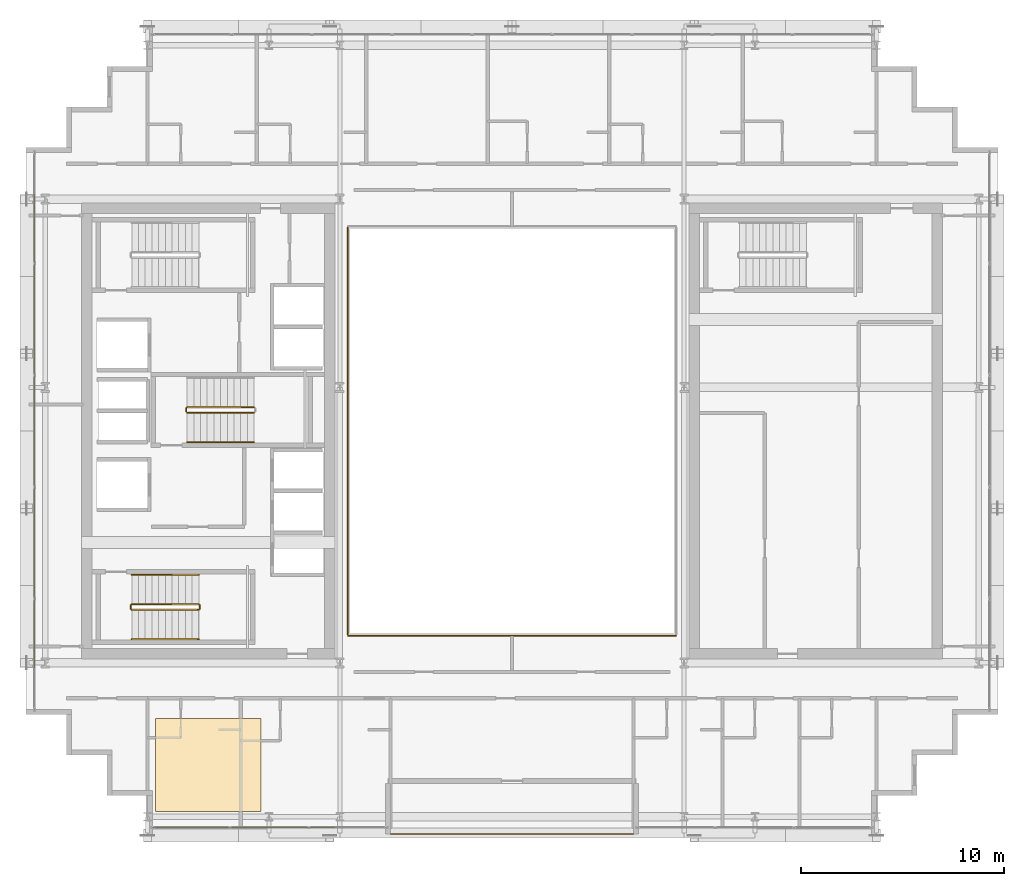
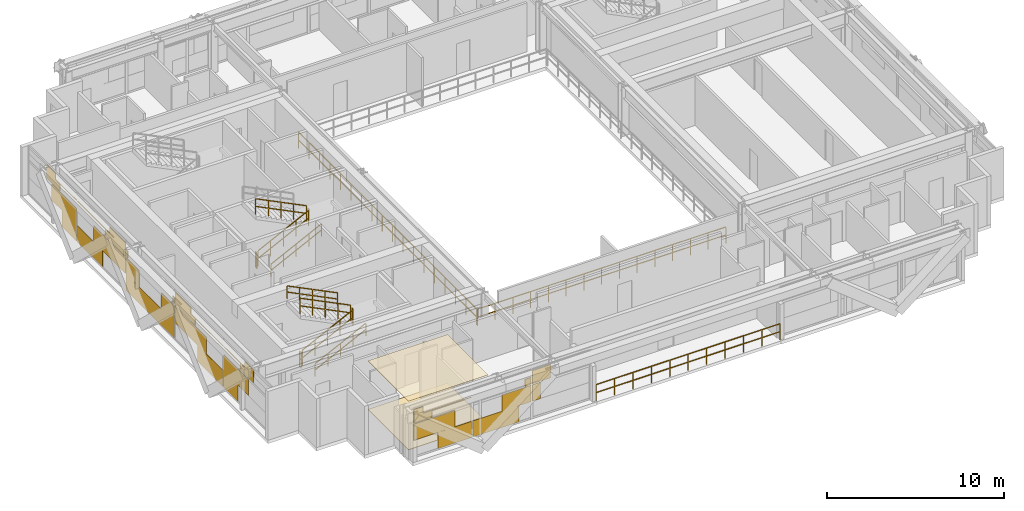
# One storey, part 29 of 32: 13 railings, 4 coverings.
"""IFC4 building model written with IfcOpenShell, lengths in metres."""

from ifc_helpers import new_model, si_unit, direction, frame, origin, origin_2d, place, context, subcontext, project, spatial, polyline, rectangle, outline, extrude, material, layer, layer_set, type_object, element, save


model = new_model("IFC4")

# Units and contexts
model_context = context("Model", 3, precision=1e-05, world=origin(), true_north=direction((0.0, 1.0)))
body_context = subcontext(model_context, "Body", "Model", "MODEL_VIEW")
ifc_project = project(units=[si_unit("LENGTHUNIT", "METRE"), si_unit("AREAUNIT", "SQUARE_METRE"), si_unit("VOLUMEUNIT", "CUBIC_METRE"), si_unit("PLANEANGLEUNIT", "RADIAN"), si_unit("MASSUNIT", "GRAM", prefix="KILO")], contexts=[model_context])

# Site, building, storey
site_placement = place(None, origin())
site = spatial("IfcSite", under=ifc_project, at=site_placement, CompositionType="ELEMENT")
building_placement = place(site_placement, origin())
building = spatial("IfcBuilding", under=site, at=building_placement, Name="Ocotamira Hotel", CompositionType="ELEMENT")
storey_placement = place(building_placement, frame((0.0, 0.0, 206.39990234375)))
storey = spatial("IfcBuildingStorey", under=building, at=storey_placement, Name="L52", CompositionType="ELEMENT", Elevation=206.39990234375)

# Coverings
ifc_material_1 = material(Name="Perforated acoustic gypsum ceiling board", Category="gypsum")
ifc_layer_1 = layer(ifc_material_1, 0.02490234375)
ifc_layer_set_1 = layer_set([ifc_layer_1], Name="Perforated acoustic gypsum ceiling board")
covering_type_1 = type_object("IfcCoveringType", Name="COV-CEIL-25", PredefinedType="CEILING", material=ifc_layer_set_1)
covering_1_placement = place(storey_placement, frame((0.0, 0.0, 3.34521484375)))
element("IfcCovering", 1, at=covering_1_placement, inside=storey, type_object=covering_type_1, Name="L52 Acoustic Ceiling", PredefinedType="CEILING", context=body_context, shape_type="SweptSolid", body=[
    extrude(outline(polyline([(14.39990234375, 7.199951171875), (19.60009765625, 7.199951171875), (19.60009765625, 11.800048828125), (14.39990234375, 11.800048828125), (14.39990234375, 7.199951171875)])), origin(), (0.0, 0.0, 1.0), 0.02490234375),
])
ifc_material_2 = material(Name="Honed desert travertine stone flooring", Category="masonry")
ifc_layer_2 = layer(ifc_material_2, 0.030029296875)
ifc_layer_set_2 = layer_set([ifc_layer_2], Name="Honed desert travertine stone flooring")
covering_type_2 = type_object("IfcCoveringType", Name="COV-FLOR-30", PredefinedType="FLOORING", material=ifc_layer_set_2)
covering_2_placement = place(storey_placement, origin())
element("IfcCovering", 2, at=covering_2_placement, inside=storey, type_object=covering_type_2, Name="L52 Honed Stone Floor Finish", PredefinedType="FLOORING", context=body_context, shape_type="SweptSolid", body=[
    extrude(outline(polyline([(14.39990234375, 7.199951171875), (19.60009765625, 7.199951171875), (19.60009765625, 11.800048828125), (14.39990234375, 11.800048828125), (14.39990234375, 7.199951171875)])), origin(), (0.0, 0.0, 1.0), 0.030029296875),
])
ifc_material_3 = material(Name="Insulated pale-metal aluminium spandrel panel", Category="aluminium")
ifc_layer_3 = layer(ifc_material_3, 0.044921875)
ifc_layer_set_3 = layer_set([ifc_layer_3], Name="Insulated pale-metal aluminium spandrel panel")
covering_type_3 = type_object("IfcCoveringType", Name="COV-INFILL-45", PredefinedType="CLADDING", material=ifc_layer_set_3)
covering_3_placement = place(storey_placement, origin())
element("IfcCovering", 3, at=covering_3_placement, inside=storey, type_object=covering_type_3, Name="L52 Curtain Wall Infill CW-4 CW-L52-S1", PredefinedType="CLADDING", context=body_context, shape_type="SweptSolid", body=[
    extrude(rectangle(XDim=2.68701171875, YDim=0.044921875, at=origin_2d()), frame((15.6240234375, 6.419921875, 1.1943359375), z_axis=(0.0, 0.0, 1.0), x_axis=(1.0, 0.0, 0.0)), (0.0, 0.0, 1.0), 1.117919921875),
    extrude(rectangle(XDim=2.19482421875, YDim=0.044921875, at=origin_2d()), frame((16.9453125, 6.419921875, 0.07568359375), z_axis=(0.0, 0.0, 1.0), x_axis=(1.0, 0.0, 0.0)), (0.0, 0.0, 1.0), 1.117919921875),
    extrude(rectangle(XDim=1.19482421875, YDim=0.044921875, at=origin_2d()), frame((14.8779296875, 6.419921875, 2.38818359375), z_axis=(0.0, 0.0, 1.0), x_axis=(1.0, 0.0, 0.0)), (0.0, 0.0, 1.0), 0.442626953125),
    extrude(rectangle(XDim=3.76220703125, YDim=0.044921875, at=origin_2d()), frame((16.16162109375, 6.419921875, 2.83154296875), z_axis=(0.0, 0.0, 1.0), x_axis=(1.0, 0.0, 0.0)), (0.0, 0.0, 1.0), 0.0302734375),
    extrude(rectangle(XDim=0.601318359375, YDim=0.044921875, at=origin_2d()), frame((14.581298828125, 6.419921875, 2.863037109375), z_axis=(0.0, 0.0, 1.0), x_axis=(1.0, 0.0, 0.0)), (0.0, 0.0, 1.0), 0.431640625),
    extrude(rectangle(XDim=3.028076171875, YDim=0.044921875, at=origin_2d()), frame((19.637939453125, 6.419921875, 0.07568359375), z_axis=(0.0, 0.0, 1.0), x_axis=(1.0, 0.0, 0.0)), (0.0, 0.0, 1.0), 1.117919921875),
    extrude(rectangle(XDim=1.893798828125, YDim=0.044921875, at=origin_2d()), frame((20.979248046875, 6.419921875, 1.1943359375), z_axis=(0.0, 0.0, 1.0), x_axis=(1.0, 0.0, 0.0)), (0.0, 0.0, 1.0), 1.117919921875),
    extrude(rectangle(XDim=0.401611328125, YDim=0.044921875, at=origin_2d()), frame((21.725341796875, 6.419921875, 2.38818359375), z_axis=(0.0, 0.0, 1.0), x_axis=(1.0, 0.0, 0.0)), (0.0, 0.0, 1.0), 0.473876953125),
    extrude(rectangle(XDim=0.543212890625, YDim=0.044921875, at=origin_2d()), frame((22.27880859375, 6.419921875, 1.1943359375), z_axis=(0.0, 0.0, 1.0), x_axis=(1.0, 0.0, 0.0)), (0.0, 0.0, 1.0), 1.117919921875),
    extrude(rectangle(XDim=1.19140625, YDim=0.044921875, at=origin_2d()), frame((22.602783203125, 6.419921875, 2.38818359375), z_axis=(0.0, 0.0, 1.0), x_axis=(1.0, 0.0, 0.0)), (0.0, 0.0, 1.0), 0.442626953125),
    extrude(rectangle(XDim=1.23046875, YDim=0.044921875, at=origin_2d()), frame((22.622314453125, 6.419921875, 2.83154296875), z_axis=(0.0, 0.0, 1.0), x_axis=(1.0, 0.0, 0.0)), (0.0, 0.0, 1.0), 0.462890625),
])
covering_4_placement = place(storey_placement, origin())
element("IfcCovering", 4, at=covering_4_placement, inside=storey, type_object=covering_type_3, Name="L52 Curtain Wall Infill CW-4 CW-L52-W", PredefinedType="CLADDING", context=body_context, shape_type="SweptSolid", body=[
    extrude(rectangle(XDim=2.782958984375, YDim=0.044921875, at=origin_2d()), frame((8.419921875, 16.2880859375, 1.1943359375), z_axis=(0.0, 0.0, 1.0), x_axis=(0.0, 1.0, 0.0)), (0.0, 0.0, 1.0), 1.117919921875),
    extrude(rectangle(XDim=1.596923828125, YDim=0.044921875, at=origin_2d()), frame((8.419921875, 16.881103515625, 0.07568359375), z_axis=(0.0, 0.0, 1.0), x_axis=(0.0, 1.0, 0.0)), (0.0, 0.0, 1.0), 1.117919921875),
    extrude(rectangle(XDim=3.38720703125, YDim=0.044921875, at=origin_2d()), frame((8.419921875, 15.98583984375, 2.848876953125), z_axis=(0.0, 0.0, 1.0), x_axis=(0.0, 1.0, 0.0)), (0.0, 0.0, 1.0), 0.033203125),
    extrude(rectangle(XDim=1.019287109375, YDim=0.044921875, at=origin_2d()), frame((8.419921875, 14.8017578125, 2.883056640625), z_axis=(0.0, 0.0, 1.0), x_axis=(0.0, 1.0, 0.0)), (0.0, 0.0, 1.0), 0.41162109375),
    extrude(rectangle(XDim=1.507568359375, YDim=0.044921875, at=origin_2d()), frame((8.419921875, 15.082275390625, 2.38818359375), z_axis=(0.0, 0.0, 1.0), x_axis=(0.0, 1.0, 0.0)), (0.0, 0.0, 1.0), 0.459716796875),
    extrude(rectangle(XDim=2.89013671875, YDim=0.044921875, at=origin_2d()), frame((8.419921875, 19.20556640625, 0.07568359375), z_axis=(0.0, 0.0, 1.0), x_axis=(0.0, 1.0, 0.0)), (0.0, 0.0, 1.0), 1.117919921875),
    extrude(rectangle(XDim=3.568115234375, YDim=0.044921875, at=origin_2d()), frame((8.419921875, 21.41552734375, 1.1943359375), z_axis=(0.0, 0.0, 1.0), x_axis=(0.0, 1.0, 0.0)), (0.0, 0.0, 1.0), 1.117919921875),
    extrude(rectangle(XDim=5.43896484375, YDim=0.044921875, at=origin_2d()), frame((8.419921875, 20.47998046875, 2.848876953125), z_axis=(0.0, 0.0, 1.0), x_axis=(0.0, 1.0, 0.0)), (0.0, 0.0, 1.0), 0.033203125),
    extrude(rectangle(XDim=2.302490234375, YDim=0.044921875, at=origin_2d()), frame((8.419921875, 22.04833984375, 2.38818359375), z_axis=(0.0, 0.0, 1.0), x_axis=(0.0, 1.0, 0.0)), (0.0, 0.0, 1.0), 0.459716796875),
    extrude(rectangle(XDim=1.777587890625, YDim=0.044921875, at=origin_2d()), frame((8.419921875, 22.310791015625, 2.883056640625), z_axis=(0.0, 0.0, 1.0), x_axis=(0.0, 1.0, 0.0)), (0.0, 0.0, 1.0), 0.41162109375),
    extrude(rectangle(XDim=5.43896484375, YDim=0.044921875, at=origin_2d()), frame((8.419921875, 26.0, 0.07568359375), z_axis=(0.0, 0.0, 1.0), x_axis=(0.0, 1.0, 0.0)), (0.0, 0.0, 1.0), 1.117919921875),
    extrude(rectangle(XDim=1.45458984375, YDim=0.044921875, at=origin_2d()), frame((8.419921875, 24.0078125, 1.1943359375), z_axis=(0.0, 0.0, 1.0), x_axis=(0.0, 1.0, 0.0)), (0.0, 0.0, 1.0), 1.117919921875),
    extrude(rectangle(XDim=1.45458984375, YDim=0.044921875, at=origin_2d()), frame((8.419921875, 27.9921875, 1.1943359375), z_axis=(0.0, 0.0, 1.0), x_axis=(0.0, 1.0, 0.0)), (0.0, 0.0, 1.0), 1.117919921875),
    extrude(rectangle(XDim=0.18896484375, YDim=0.044921875, at=origin_2d()), frame((8.419921875, 23.375, 2.38818359375), z_axis=(0.0, 0.0, 1.0), x_axis=(0.0, 1.0, 0.0)), (0.0, 0.0, 1.0), 0.493896484375),
    extrude(rectangle(XDim=0.18896484375, YDim=0.044921875, at=origin_2d()), frame((8.419921875, 28.625, 2.38818359375), z_axis=(0.0, 0.0, 1.0), x_axis=(0.0, 1.0, 0.0)), (0.0, 0.0, 1.0), 0.493896484375),
    extrude(rectangle(XDim=3.568115234375, YDim=0.044921875, at=origin_2d()), frame((8.419921875, 30.58447265625, 1.1943359375), z_axis=(0.0, 0.0, 1.0), x_axis=(0.0, 1.0, 0.0)), (0.0, 0.0, 1.0), 1.117919921875),
    extrude(rectangle(XDim=2.89013671875, YDim=0.044921875, at=origin_2d()), frame((8.419921875, 32.79443359375, 0.07568359375), z_axis=(0.0, 0.0, 1.0), x_axis=(0.0, 1.0, 0.0)), (0.0, 0.0, 1.0), 1.117919921875),
    extrude(rectangle(XDim=2.302490234375, YDim=0.044921875, at=origin_2d()), frame((8.419921875, 29.95166015625, 2.38818359375), z_axis=(0.0, 0.0, 1.0), x_axis=(0.0, 1.0, 0.0)), (0.0, 0.0, 1.0), 0.459716796875),
    extrude(rectangle(XDim=5.43896484375, YDim=0.044921875, at=origin_2d()), frame((8.419921875, 31.52001953125, 2.848876953125), z_axis=(0.0, 0.0, 1.0), x_axis=(0.0, 1.0, 0.0)), (0.0, 0.0, 1.0), 0.033203125),
    extrude(rectangle(XDim=1.777587890625, YDim=0.044921875, at=origin_2d()), frame((8.419921875, 29.689208984375, 2.883056640625), z_axis=(0.0, 0.0, 1.0), x_axis=(0.0, 1.0, 0.0)), (0.0, 0.0, 1.0), 0.41162109375),
    extrude(rectangle(XDim=1.596923828125, YDim=0.044921875, at=origin_2d()), frame((8.419921875, 35.118896484375, 0.07568359375), z_axis=(0.0, 0.0, 1.0), x_axis=(0.0, 1.0, 0.0)), (0.0, 0.0, 1.0), 1.117919921875),
    extrude(rectangle(XDim=2.782958984375, YDim=0.044921875, at=origin_2d()), frame((8.419921875, 35.7119140625, 1.1943359375), z_axis=(0.0, 0.0, 1.0), x_axis=(0.0, 1.0, 0.0)), (0.0, 0.0, 1.0), 1.117919921875),
    extrude(rectangle(XDim=3.38720703125, YDim=0.044921875, at=origin_2d()), frame((8.419921875, 36.01416015625, 2.848876953125), z_axis=(0.0, 0.0, 1.0), x_axis=(0.0, 1.0, 0.0)), (0.0, 0.0, 1.0), 0.033203125),
    extrude(rectangle(XDim=1.507568359375, YDim=0.044921875, at=origin_2d()), frame((8.419921875, 36.917724609375, 2.38818359375), z_axis=(0.0, 0.0, 1.0), x_axis=(0.0, 1.0, 0.0)), (0.0, 0.0, 1.0), 0.459716796875),
    extrude(rectangle(XDim=1.019287109375, YDim=0.044921875, at=origin_2d()), frame((8.419921875, 37.1982421875, 2.883056640625), z_axis=(0.0, 0.0, 1.0), x_axis=(0.0, 1.0, 0.0)), (0.0, 0.0, 1.0), 0.41162109375),
])

# Railings
ifc_material_4 = material(Name="Laminated glass and pale-metal balustrade", Category="glass")
railing_type_1 = type_object("IfcRailingType", Name="RL-BAL-1150", PredefinedType="BALUSTRADE", material=ifc_material_4)
railing_1_placement = place(storey_placement, frame((26.0, 6.10009765625, 0.0)))
element("IfcRailing", 5, at=railing_1_placement, inside=storey, type_object=railing_type_1, Name="L52 Sky Terrace Balustrade 1", PredefinedType="BALUSTRADE", context=body_context, shape_type="SweptSolid", body=[
    extrude(rectangle(XDim=0.048095703125, YDim=0.048095703125, at=origin_2d()), frame((0.0, 0.0, 1.1259765625), z_axis=(1.0, 0.0, 0.0), x_axis=(0.0, 1.0, 0.0)), (0.0, 0.0, 1.0), 12.0),
    extrude(rectangle(XDim=0.048095703125, YDim=0.048095703125, at=origin_2d()), frame((0.0, 0.0, 0.574951171875), z_axis=(1.0, 0.0, 0.0), x_axis=(0.0, 1.0, 0.0)), (0.0, 0.0, 1.0), 12.0),
    extrude(rectangle(XDim=0.0419921875, YDim=0.0419921875, at=origin_2d()), origin(), (0.0, 0.0, 1.0), 1.101806640625),
    extrude(rectangle(XDim=0.0419921875, YDim=0.0419921875, at=origin_2d()), frame((1.199951171875, 0.0, 0.0)), (0.0, 0.0, 1.0), 1.101806640625),
    extrude(rectangle(XDim=0.0419921875, YDim=0.0419921875, at=origin_2d()), frame((2.39990234375, 0.0, 0.0)), (0.0, 0.0, 1.0), 1.101806640625),
    extrude(rectangle(XDim=0.0419921875, YDim=0.0419921875, at=origin_2d()), frame((3.60009765625, 0.0, 0.0)), (0.0, 0.0, 1.0), 1.101806640625),
    extrude(rectangle(XDim=0.0419921875, YDim=0.0419921875, at=origin_2d()), frame((4.800048828125, 0.0, 0.0)), (0.0, 0.0, 1.0), 1.101806640625),
    extrude(rectangle(XDim=0.0419921875, YDim=0.0419921875, at=origin_2d()), frame((6.0, 0.0, 0.0)), (0.0, 0.0, 1.0), 1.101806640625),
    extrude(rectangle(XDim=0.0419921875, YDim=0.0419921875, at=origin_2d()), frame((7.199951171875, 0.0, 0.0)), (0.0, 0.0, 1.0), 1.101806640625),
    extrude(rectangle(XDim=0.0419921875, YDim=0.0419921875, at=origin_2d()), frame((8.39990234375, 0.0, 0.0)), (0.0, 0.0, 1.0), 1.101806640625),
    extrude(rectangle(XDim=0.0419921875, YDim=0.0419921875, at=origin_2d()), frame((9.60009765625, 0.0, 0.0)), (0.0, 0.0, 1.0), 1.101806640625),
    extrude(rectangle(XDim=0.0419921875, YDim=0.0419921875, at=origin_2d()), frame((10.800048828125, 0.0, 0.0)), (0.0, 0.0, 1.0), 1.101806640625),
    extrude(rectangle(XDim=0.0419921875, YDim=0.0419921875, at=origin_2d()), frame((12.0, 0.0, 0.0)), (0.0, 0.0, 1.0), 1.101806640625),
])
ifc_material_5 = material(Name="Painted steel stair guardrail", Category="steel")
railing_type_2 = type_object("IfcRailingType", Name="RL-EDGE-1150", PredefinedType="GUARDRAIL", material=ifc_material_5)
railing_2_placement = place(storey_placement, frame((23.89990234375, 15.8798828125, 0.0)))
element("IfcRailing", 6, at=railing_2_placement, inside=storey, type_object=railing_type_2, Name="L52 Central Atrium Edge Guardrail S", PredefinedType="GUARDRAIL", context=body_context, shape_type="SweptSolid", body=[
    extrude(rectangle(XDim=0.048095703125, YDim=0.048095703125, at=origin_2d()), frame((0.0, 0.0, 1.1259765625), z_axis=(1.0, 0.0, 0.0), x_axis=(0.0, 1.0, 0.0)), (0.0, 0.0, 1.0), 16.2001953125),
    extrude(rectangle(XDim=0.048095703125, YDim=0.048095703125, at=origin_2d()), frame((0.0, 0.0, 0.574951171875), z_axis=(1.0, 0.0, 0.0), x_axis=(0.0, 1.0, 0.0)), (0.0, 0.0, 1.0), 16.2001953125),
    extrude(rectangle(XDim=0.0419921875, YDim=0.0419921875, at=origin_2d()), origin(), (0.0, 0.0, 1.0), 1.101806640625),
    extrude(rectangle(XDim=0.0419921875, YDim=0.0419921875, at=origin_2d()), frame((1.1572265625, 0.0, 0.0)), (0.0, 0.0, 1.0), 1.101806640625),
    extrude(rectangle(XDim=0.0419921875, YDim=0.0419921875, at=origin_2d()), frame((2.314208984375, 0.0, 0.0)), (0.0, 0.0, 1.0), 1.101806640625),
    extrude(rectangle(XDim=0.0419921875, YDim=0.0419921875, at=origin_2d()), frame((3.471435546875, 0.0, 0.0)), (0.0, 0.0, 1.0), 1.101806640625),
    extrude(rectangle(XDim=0.0419921875, YDim=0.0419921875, at=origin_2d()), frame((4.628662109375, 0.0, 0.0)), (0.0, 0.0, 1.0), 1.101806640625),
    extrude(rectangle(XDim=0.0419921875, YDim=0.0419921875, at=origin_2d()), frame((5.785888671875, 0.0, 0.0)), (0.0, 0.0, 1.0), 1.101806640625),
    extrude(rectangle(XDim=0.0419921875, YDim=0.0419921875, at=origin_2d()), frame((6.94287109375, 0.0, 0.0)), (0.0, 0.0, 1.0), 1.101806640625),
    extrude(rectangle(XDim=0.0419921875, YDim=0.0419921875, at=origin_2d()), frame((8.10009765625, 0.0, 0.0)), (0.0, 0.0, 1.0), 1.101806640625),
    extrude(rectangle(XDim=0.0419921875, YDim=0.0419921875, at=origin_2d()), frame((9.25732421875, 0.0, 0.0)), (0.0, 0.0, 1.0), 1.101806640625),
    extrude(rectangle(XDim=0.0419921875, YDim=0.0419921875, at=origin_2d()), frame((10.414306640625, 0.0, 0.0)), (0.0, 0.0, 1.0), 1.101806640625),
    extrude(rectangle(XDim=0.0419921875, YDim=0.0419921875, at=origin_2d()), frame((11.571533203125, 0.0, 0.0)), (0.0, 0.0, 1.0), 1.101806640625),
    extrude(rectangle(XDim=0.0419921875, YDim=0.0419921875, at=origin_2d()), frame((12.728759765625, 0.0, 0.0)), (0.0, 0.0, 1.0), 1.101806640625),
    extrude(rectangle(XDim=0.0419921875, YDim=0.0419921875, at=origin_2d()), frame((13.885986328125, 0.0, 0.0)), (0.0, 0.0, 1.0), 1.101806640625),
    extrude(rectangle(XDim=0.0419921875, YDim=0.0419921875, at=origin_2d()), frame((15.04296875, 0.0, 0.0)), (0.0, 0.0, 1.0), 1.101806640625),
    extrude(rectangle(XDim=0.0419921875, YDim=0.0419921875, at=origin_2d()), frame((16.2001953125, 0.0, 0.0)), (0.0, 0.0, 1.0), 1.101806640625),
])
railing_3_placement = place(storey_placement, frame((23.8798828125, 36.0400390625, 0.0)))
element("IfcRailing", 7, at=railing_3_placement, inside=storey, type_object=railing_type_2, Name="L52 Central Atrium Edge Guardrail W", PredefinedType="GUARDRAIL", context=body_context, shape_type="SweptSolid", body=[
    extrude(rectangle(XDim=0.048095703125, YDim=0.048095703125, at=origin_2d()), frame((0.0, 0.0, 1.1259765625), z_axis=(0.0, -1.0, 0.0), x_axis=(1.0, 0.0, 0.0)), (0.0, 0.0, 1.0), 20.080078125),
    extrude(rectangle(XDim=0.048095703125, YDim=0.048095703125, at=origin_2d()), frame((0.0, 0.0, 0.574951171875), z_axis=(0.0, -1.0, 0.0), x_axis=(1.0, 0.0, 0.0)), (0.0, 0.0, 1.0), 20.080078125),
    extrude(rectangle(XDim=0.0419921875, YDim=0.0419921875, at=origin_2d()), origin(), (0.0, 0.0, 1.0), 1.101806640625),
    extrude(rectangle(XDim=0.0419921875, YDim=0.0419921875, at=origin_2d()), frame((0.0, -1.18115234375, 0.0)), (0.0, 0.0, 1.0), 1.101806640625),
    extrude(rectangle(XDim=0.0419921875, YDim=0.0419921875, at=origin_2d()), frame((0.0, -2.3623046875, 0.0)), (0.0, 0.0, 1.0), 1.101806640625),
    extrude(rectangle(XDim=0.0419921875, YDim=0.0419921875, at=origin_2d()), frame((0.0, -3.54345703125, 0.0)), (0.0, 0.0, 1.0), 1.101806640625),
    extrude(rectangle(XDim=0.0419921875, YDim=0.0419921875, at=origin_2d()), frame((0.0, -4.724609375, 0.0)), (0.0, 0.0, 1.0), 1.101806640625),
    extrude(rectangle(XDim=0.0419921875, YDim=0.0419921875, at=origin_2d()), frame((0.0, -5.906005859375, 0.0)), (0.0, 0.0, 1.0), 1.101806640625),
    extrude(rectangle(XDim=0.0419921875, YDim=0.0419921875, at=origin_2d()), frame((0.0, -7.087158203125, 0.0)), (0.0, 0.0, 1.0), 1.101806640625),
    extrude(rectangle(XDim=0.0419921875, YDim=0.0419921875, at=origin_2d()), frame((0.0, -8.268310546875, 0.0)), (0.0, 0.0, 1.0), 1.101806640625),
    extrude(rectangle(XDim=0.0419921875, YDim=0.0419921875, at=origin_2d()), frame((0.0, -9.449462890625, 0.0)), (0.0, 0.0, 1.0), 1.101806640625),
    extrude(rectangle(XDim=0.0419921875, YDim=0.0419921875, at=origin_2d()), frame((0.0, -10.630615234375, 0.0)), (0.0, 0.0, 1.0), 1.101806640625),
    extrude(rectangle(XDim=0.0419921875, YDim=0.0419921875, at=origin_2d()), frame((0.0, -11.811767578125, 0.0)), (0.0, 0.0, 1.0), 1.101806640625),
    extrude(rectangle(XDim=0.0419921875, YDim=0.0419921875, at=origin_2d()), frame((0.0, -12.992919921875, 0.0)), (0.0, 0.0, 1.0), 1.101806640625),
    extrude(rectangle(XDim=0.0419921875, YDim=0.0419921875, at=origin_2d()), frame((0.0, -14.174072265625, 0.0)), (0.0, 0.0, 1.0), 1.101806640625),
    extrude(rectangle(XDim=0.0419921875, YDim=0.0419921875, at=origin_2d()), frame((0.0, -15.35546875, 0.0)), (0.0, 0.0, 1.0), 1.101806640625),
    extrude(rectangle(XDim=0.0419921875, YDim=0.0419921875, at=origin_2d()), frame((0.0, -16.53662109375, 0.0)), (0.0, 0.0, 1.0), 1.101806640625),
    extrude(rectangle(XDim=0.0419921875, YDim=0.0419921875, at=origin_2d()), frame((0.0, -17.7177734375, 0.0)), (0.0, 0.0, 1.0), 1.101806640625),
    extrude(rectangle(XDim=0.0419921875, YDim=0.0419921875, at=origin_2d()), frame((0.0, -18.89892578125, 0.0)), (0.0, 0.0, 1.0), 1.101806640625),
    extrude(rectangle(XDim=0.0419921875, YDim=0.0419921875, at=origin_2d()), frame((0.0, -20.080078125, 0.0)), (0.0, 0.0, 1.0), 1.101806640625),
])
ifc_material_6 = material(Name="Brushed stainless steel handrail", Category="steel")
railing_type_3 = type_object("IfcRailingType", Name="RL-HAND-900", PredefinedType="HANDRAIL", material=ifc_material_6)
railing_4_placement = place(storey_placement, frame((13.22998046875, 15.719970703125, 0.327392578125)))
element("IfcRailing", 8, at=railing_4_placement, inside=storey, type_object=railing_type_3, Name="L52 ST-1 stair handrail 1", PredefinedType="HANDRAIL", context=body_context, shape_type="SweptSolid", body=[
    extrude(rectangle(XDim=0.048095703125, YDim=0.048095703125, at=origin_2d()), frame((0.0, 0.0, 0.8759765625), z_axis=(0.895920123917, 0.0, 0.444215186098), x_axis=(0.0, 1.0, 0.0)), (0.0, 0.0, 1.0), 3.683349609375),
    extrude(rectangle(XDim=0.048095703125, YDim=0.048095703125, at=origin_2d()), frame((0.0, 0.0, 0.449951171875), z_axis=(0.895920123917, 0.0, 0.444215186098), x_axis=(0.0, 1.0, 0.0)), (0.0, 0.0, 1.0), 3.683349609375),
    extrude(rectangle(XDim=0.0419921875, YDim=0.0419921875, at=origin_2d()), origin(), (0.0, 0.0, 1.0), 0.851806640625),
    extrude(rectangle(XDim=0.0419921875, YDim=0.0419921875, at=origin_2d()), frame((0.824951171875, 0.0, 0.4091796875)), (0.0, 0.0, 1.0), 0.851806640625),
    extrude(rectangle(XDim=0.0419921875, YDim=0.0419921875, at=origin_2d()), frame((1.64990234375, 0.0, 0.818115234375)), (0.0, 0.0, 1.0), 0.851806640625),
    extrude(rectangle(XDim=0.0419921875, YDim=0.0419921875, at=origin_2d()), frame((2.47509765625, 0.0, 1.22705078125)), (0.0, 0.0, 1.0), 0.851806640625),
    extrude(rectangle(XDim=0.0419921875, YDim=0.0419921875, at=origin_2d()), frame((3.300048828125, 0.0, 1.63623046875)), (0.0, 0.0, 1.0), 0.851806640625),
])
railing_5_placement = place(storey_placement, frame((16.530029296875, 18.89990234375, 2.12744140625)))
element("IfcRailing", 9, at=railing_5_placement, inside=storey, type_object=railing_type_3, Name="L52 ST-1 stair handrail 2", PredefinedType="HANDRAIL", context=body_context, shape_type="SweptSolid", body=[
    extrude(rectangle(XDim=0.048095703125, YDim=0.048095703125, at=origin_2d()), frame((0.0, 0.0, 0.8759765625), z_axis=(-0.895920123917, 0.0, 0.444215186098), x_axis=(0.0, -1.0, 0.0)), (0.0, 0.0, 1.0), 3.683349609375),
    extrude(rectangle(XDim=0.048095703125, YDim=0.048095703125, at=origin_2d()), frame((0.0, 0.0, 0.449951171875), z_axis=(-0.895920123917, 0.0, 0.444215186098), x_axis=(0.0, -1.0, 0.0)), (0.0, 0.0, 1.0), 3.683349609375),
    extrude(rectangle(XDim=0.0419921875, YDim=0.0419921875, at=origin_2d()), origin(), (0.0, 0.0, 1.0), 0.851806640625),
    extrude(rectangle(XDim=0.0419921875, YDim=0.0419921875, at=origin_2d()), frame((-0.824951171875, 0.0, 0.4091796875)), (0.0, 0.0, 1.0), 0.851806640625),
    extrude(rectangle(XDim=0.0419921875, YDim=0.0419921875, at=origin_2d()), frame((-1.64990234375, 0.0, 0.818115234375)), (0.0, 0.0, 1.0), 0.851806640625),
    extrude(rectangle(XDim=0.0419921875, YDim=0.0419921875, at=origin_2d()), frame((-2.47509765625, 0.0, 1.22705078125)), (0.0, 0.0, 1.0), 0.851806640625),
    extrude(rectangle(XDim=0.0419921875, YDim=0.0419921875, at=origin_2d()), frame((-3.300048828125, 0.0, 1.63623046875)), (0.0, 0.0, 1.0), 0.851806640625),
])
railing_6_placement = place(storey_placement, frame((15.9599609375, 25.449951171875, 0.327392578125)))
element("IfcRailing", 10, at=railing_6_placement, inside=storey, type_object=railing_type_3, Name="L52 ST-3 stair handrail 1", PredefinedType="HANDRAIL", context=body_context, shape_type="SweptSolid", body=[
    extrude(rectangle(XDim=0.048095703125, YDim=0.048095703125, at=origin_2d()), frame((0.0, 0.0, 0.8759765625), z_axis=(0.895920123917, 0.0, 0.444215186098), x_axis=(0.0, 1.0, 0.0)), (0.0, 0.0, 1.0), 3.683349609375),
    extrude(rectangle(XDim=0.048095703125, YDim=0.048095703125, at=origin_2d()), frame((0.0, 0.0, 0.449951171875), z_axis=(0.895920123917, 0.0, 0.444215186098), x_axis=(0.0, 1.0, 0.0)), (0.0, 0.0, 1.0), 3.683349609375),
    extrude(rectangle(XDim=0.0419921875, YDim=0.0419921875, at=origin_2d()), origin(), (0.0, 0.0, 1.0), 0.851806640625),
    extrude(rectangle(XDim=0.0419921875, YDim=0.0419921875, at=origin_2d()), frame((0.824951171875, 0.0, 0.4091796875)), (0.0, 0.0, 1.0), 0.851806640625),
    extrude(rectangle(XDim=0.0419921875, YDim=0.0419921875, at=origin_2d()), frame((1.64990234375, 0.0, 0.818115234375)), (0.0, 0.0, 1.0), 0.851806640625),
    extrude(rectangle(XDim=0.0419921875, YDim=0.0419921875, at=origin_2d()), frame((2.47509765625, 0.0, 1.22705078125)), (0.0, 0.0, 1.0), 0.851806640625),
    extrude(rectangle(XDim=0.0419921875, YDim=0.0419921875, at=origin_2d()), frame((3.300048828125, 0.0, 1.63623046875)), (0.0, 0.0, 1.0), 0.851806640625),
])
railing_type_4 = type_object("IfcRailingType", Name="RL-STAIR-1100", PredefinedType="GUARDRAIL", material=ifc_material_5)
railing_7_placement = place(storey_placement, frame((13.22998046875, 17.179931640625, 0.163818359375)))
element("IfcRailing", 11, at=railing_7_placement, inside=storey, type_object=railing_type_4, Name="L52 ST-1 stair guard 1", PredefinedType="GUARDRAIL", context=body_context, shape_type="SweptSolid", body=[
    extrude(rectangle(XDim=0.048095703125, YDim=0.048095703125, at=origin_2d()), frame((0.0, 0.0, 1.076171875), z_axis=(0.895920123917, 0.0, 0.444215186098), x_axis=(0.0, 1.0, 0.0)), (0.0, 0.0, 1.0), 3.683349609375),
    extrude(rectangle(XDim=0.048095703125, YDim=0.048095703125, at=origin_2d()), frame((0.0, 0.0, 0.550048828125), z_axis=(0.895920123917, 0.0, 0.444215186098), x_axis=(0.0, 1.0, 0.0)), (0.0, 0.0, 1.0), 3.683349609375),
    extrude(rectangle(XDim=0.0419921875, YDim=0.0419921875, at=origin_2d()), origin(), (0.0, 0.0, 1.0), 1.052001953125),
    extrude(rectangle(XDim=0.0419921875, YDim=0.0419921875, at=origin_2d()), frame((0.824951171875, 0.0, 0.4091796875)), (0.0, 0.0, 1.0), 1.052001953125),
    extrude(rectangle(XDim=0.0419921875, YDim=0.0419921875, at=origin_2d()), frame((1.64990234375, 0.0, 0.818115234375)), (0.0, 0.0, 1.0), 1.052001953125),
    extrude(rectangle(XDim=0.0419921875, YDim=0.0419921875, at=origin_2d()), frame((2.47509765625, 0.0, 1.22705078125)), (0.0, 0.0, 1.0), 1.052001953125),
    extrude(rectangle(XDim=0.0419921875, YDim=0.0419921875, at=origin_2d()), frame((3.300048828125, 0.0, 1.63623046875)), (0.0, 0.0, 1.0), 1.052001953125),
])
railing_8_placement = place(storey_placement, frame((16.580078125, 17.22998046875, 1.800048828125)))
element("IfcRailing", 12, at=railing_8_placement, inside=storey, type_object=railing_type_4, Name="L52 ST-1 stair guard 2", PredefinedType="GUARDRAIL", context=body_context, shape_type="SweptSolid", body=[
    extrude(rectangle(XDim=0.048095703125, YDim=0.048095703125, at=origin_2d()), frame((0.0, 0.0, 1.076171875), z_axis=(0.0, 1.0, 0.0), x_axis=(-1.0, 0.0, 0.0)), (0.0, 0.0, 1.0), 0.159912109375),
    extrude(rectangle(XDim=0.048095703125, YDim=0.048095703125, at=origin_2d()), frame((0.0, 0.0, 0.550048828125), z_axis=(0.0, 1.0, 0.0), x_axis=(-1.0, 0.0, 0.0)), (0.0, 0.0, 1.0), 0.159912109375),
    extrude(rectangle(XDim=0.0419921875, YDim=0.0419921875, at=origin_2d()), origin(), (0.0, 0.0, 1.0), 1.052001953125),
    extrude(rectangle(XDim=0.0419921875, YDim=0.0419921875, at=origin_2d()), frame((0.0, 0.159912109375, 0.0)), (0.0, 0.0, 1.0), 1.052001953125),
])
railing_9_placement = place(storey_placement, frame((16.530029296875, 17.43994140625, 1.963623046875)))
element("IfcRailing", 13, at=railing_9_placement, inside=storey, type_object=railing_type_4, Name="L52 ST-1 stair guard 3", PredefinedType="GUARDRAIL", context=body_context, shape_type="SweptSolid", body=[
    extrude(rectangle(XDim=0.048095703125, YDim=0.048095703125, at=origin_2d()), frame((0.0, 0.0, 1.076171875), z_axis=(-0.895893744519, 0.0, 0.4442683857), x_axis=(0.0, -1.0, 0.0)), (0.0, 0.0, 1.0), 3.68359375),
    extrude(rectangle(XDim=0.048095703125, YDim=0.048095703125, at=origin_2d()), frame((0.0, 0.0, 0.550048828125), z_axis=(-0.895893744519, 0.0, 0.4442683857), x_axis=(0.0, -1.0, 0.0)), (0.0, 0.0, 1.0), 3.68359375),
    extrude(rectangle(XDim=0.0419921875, YDim=0.0419921875, at=origin_2d()), origin(), (0.0, 0.0, 1.0), 1.052001953125),
    extrude(rectangle(XDim=0.0419921875, YDim=0.0419921875, at=origin_2d()), frame((-0.824951171875, 0.0, 0.4091796875)), (0.0, 0.0, 1.0), 1.052001953125),
    extrude(rectangle(XDim=0.0419921875, YDim=0.0419921875, at=origin_2d()), frame((-1.64990234375, 0.0, 0.818359375)), (0.0, 0.0, 1.0), 1.052001953125),
    extrude(rectangle(XDim=0.0419921875, YDim=0.0419921875, at=origin_2d()), frame((-2.47509765625, 0.0, 1.227294921875)), (0.0, 0.0, 1.0), 1.052001953125),
    extrude(rectangle(XDim=0.0419921875, YDim=0.0419921875, at=origin_2d()), frame((-3.300048828125, 0.0, 1.636474609375)), (0.0, 0.0, 1.0), 1.052001953125),
])
railing_10_placement = place(storey_placement, frame((13.179931640625, 17.22998046875, 0.0)))
element("IfcRailing", 14, at=railing_10_placement, inside=storey, type_object=railing_type_4, Name="L52 ST-1 stair guard 4", PredefinedType="GUARDRAIL", context=body_context, shape_type="SweptSolid", body=[
    extrude(rectangle(XDim=0.048095703125, YDim=0.048095703125, at=origin_2d()), frame((0.0, 0.0, 1.076171875), z_axis=(0.0, 1.0, 0.0), x_axis=(-1.0, 0.0, 0.0)), (0.0, 0.0, 1.0), 0.159912109375),
    extrude(rectangle(XDim=0.048095703125, YDim=0.048095703125, at=origin_2d()), frame((0.0, 0.0, 0.550048828125), z_axis=(0.0, 1.0, 0.0), x_axis=(-1.0, 0.0, 0.0)), (0.0, 0.0, 1.0), 0.159912109375),
    extrude(rectangle(XDim=0.0419921875, YDim=0.0419921875, at=origin_2d()), origin(), (0.0, 0.0, 1.0), 1.052001953125),
    extrude(rectangle(XDim=0.0419921875, YDim=0.0419921875, at=origin_2d()), frame((0.0, 0.159912109375, 0.0)), (0.0, 0.0, 1.0), 1.052001953125),
])
railing_11_placement = place(storey_placement, frame((15.9599609375, 26.909912109375, 0.163818359375)))
element("IfcRailing", 15, at=railing_11_placement, inside=storey, type_object=railing_type_4, Name="L52 ST-3 stair guard 1", PredefinedType="GUARDRAIL", context=body_context, shape_type="SweptSolid", body=[
    extrude(rectangle(XDim=0.048095703125, YDim=0.048095703125, at=origin_2d()), frame((0.0, 0.0, 1.076171875), z_axis=(0.895920123917, 0.0, 0.444215186098), x_axis=(0.0, 1.0, 0.0)), (0.0, 0.0, 1.0), 3.683349609375),
    extrude(rectangle(XDim=0.048095703125, YDim=0.048095703125, at=origin_2d()), frame((0.0, 0.0, 0.550048828125), z_axis=(0.895920123917, 0.0, 0.444215186098), x_axis=(0.0, 1.0, 0.0)), (0.0, 0.0, 1.0), 3.683349609375),
    extrude(rectangle(XDim=0.0419921875, YDim=0.0419921875, at=origin_2d()), origin(), (0.0, 0.0, 1.0), 1.052001953125),
    extrude(rectangle(XDim=0.0419921875, YDim=0.0419921875, at=origin_2d()), frame((0.824951171875, 0.0, 0.4091796875)), (0.0, 0.0, 1.0), 1.052001953125),
    extrude(rectangle(XDim=0.0419921875, YDim=0.0419921875, at=origin_2d()), frame((1.64990234375, 0.0, 0.818115234375)), (0.0, 0.0, 1.0), 1.052001953125),
    extrude(rectangle(XDim=0.0419921875, YDim=0.0419921875, at=origin_2d()), frame((2.47509765625, 0.0, 1.22705078125)), (0.0, 0.0, 1.0), 1.052001953125),
    extrude(rectangle(XDim=0.0419921875, YDim=0.0419921875, at=origin_2d()), frame((3.300048828125, 0.0, 1.63623046875)), (0.0, 0.0, 1.0), 1.052001953125),
])
railing_12_placement = place(storey_placement, frame((19.260009765625, 27.169921875, 1.963623046875)))
element("IfcRailing", 16, at=railing_12_placement, inside=storey, type_object=railing_type_4, Name="L52 ST-3 stair guard 3", PredefinedType="GUARDRAIL", context=body_context, shape_type="SweptSolid", body=[
    extrude(rectangle(XDim=0.048095703125, YDim=0.048095703125, at=origin_2d()), frame((0.0, 0.0, 1.076171875), z_axis=(-0.895893744519, 0.0, 0.4442683857), x_axis=(0.0, -1.0, 0.0)), (0.0, 0.0, 1.0), 3.68359375),
    extrude(rectangle(XDim=0.048095703125, YDim=0.048095703125, at=origin_2d()), frame((0.0, 0.0, 0.550048828125), z_axis=(-0.895893744519, 0.0, 0.4442683857), x_axis=(0.0, -1.0, 0.0)), (0.0, 0.0, 1.0), 3.68359375),
    extrude(rectangle(XDim=0.0419921875, YDim=0.0419921875, at=origin_2d()), origin(), (0.0, 0.0, 1.0), 1.052001953125),
    extrude(rectangle(XDim=0.0419921875, YDim=0.0419921875, at=origin_2d()), frame((-0.824951171875, 0.0, 0.4091796875)), (0.0, 0.0, 1.0), 1.052001953125),
    extrude(rectangle(XDim=0.0419921875, YDim=0.0419921875, at=origin_2d()), frame((-1.64990234375, 0.0, 0.818359375)), (0.0, 0.0, 1.0), 1.052001953125),
    extrude(rectangle(XDim=0.0419921875, YDim=0.0419921875, at=origin_2d()), frame((-2.47509765625, 0.0, 1.227294921875)), (0.0, 0.0, 1.0), 1.052001953125),
    extrude(rectangle(XDim=0.0419921875, YDim=0.0419921875, at=origin_2d()), frame((-3.300048828125, 0.0, 1.636474609375)), (0.0, 0.0, 1.0), 1.052001953125),
])
railing_13_placement = place(storey_placement, frame((15.909912109375, 26.9599609375, 0.0)))
element("IfcRailing", 17, at=railing_13_placement, inside=storey, type_object=railing_type_4, Name="L52 ST-3 stair guard 4", PredefinedType="GUARDRAIL", context=body_context, shape_type="SweptSolid", body=[
    extrude(rectangle(XDim=0.048095703125, YDim=0.048095703125, at=origin_2d()), frame((0.0, 0.0, 1.076171875), z_axis=(0.0, 1.0, 0.0), x_axis=(-1.0, 0.0, 0.0)), (0.0, 0.0, 1.0), 0.16015625),
    extrude(rectangle(XDim=0.048095703125, YDim=0.048095703125, at=origin_2d()), frame((0.0, 0.0, 0.550048828125), z_axis=(0.0, 1.0, 0.0), x_axis=(-1.0, 0.0, 0.0)), (0.0, 0.0, 1.0), 0.16015625),
    extrude(rectangle(XDim=0.0419921875, YDim=0.0419921875, at=origin_2d()), origin(), (0.0, 0.0, 1.0), 1.052001953125),
    extrude(rectangle(XDim=0.0419921875, YDim=0.0419921875, at=origin_2d()), frame((0.0, 0.16015625, 0.0)), (0.0, 0.0, 1.0), 1.052001953125),
])

save(model, "model.ifc")
